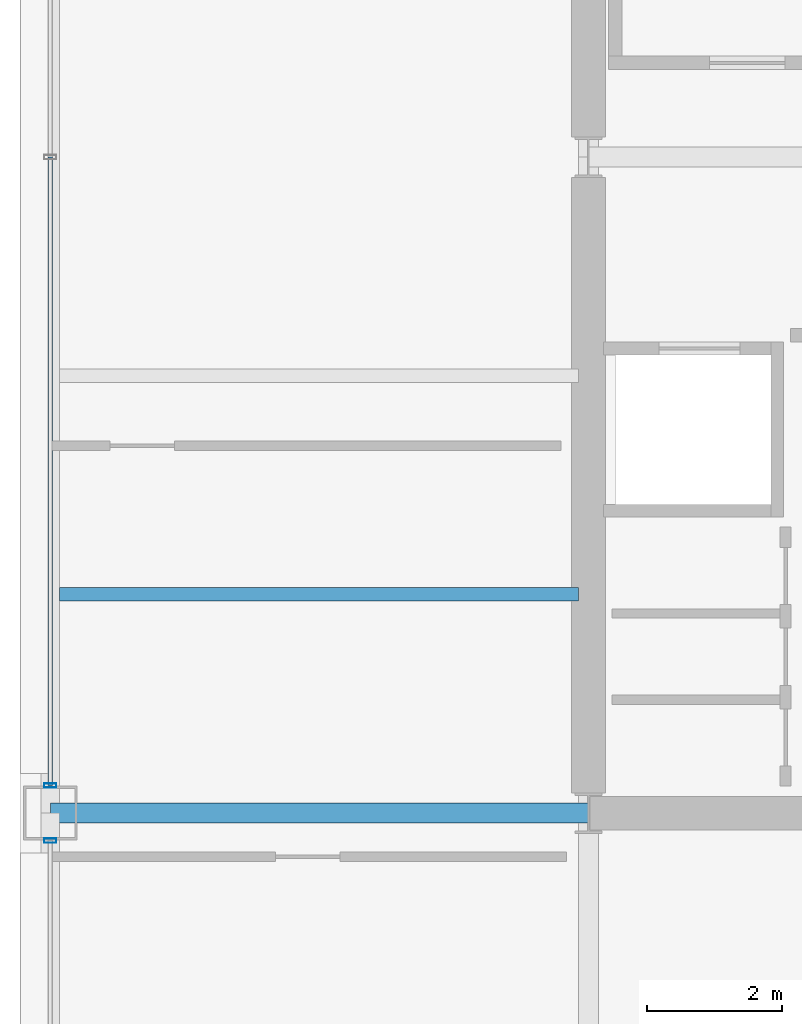
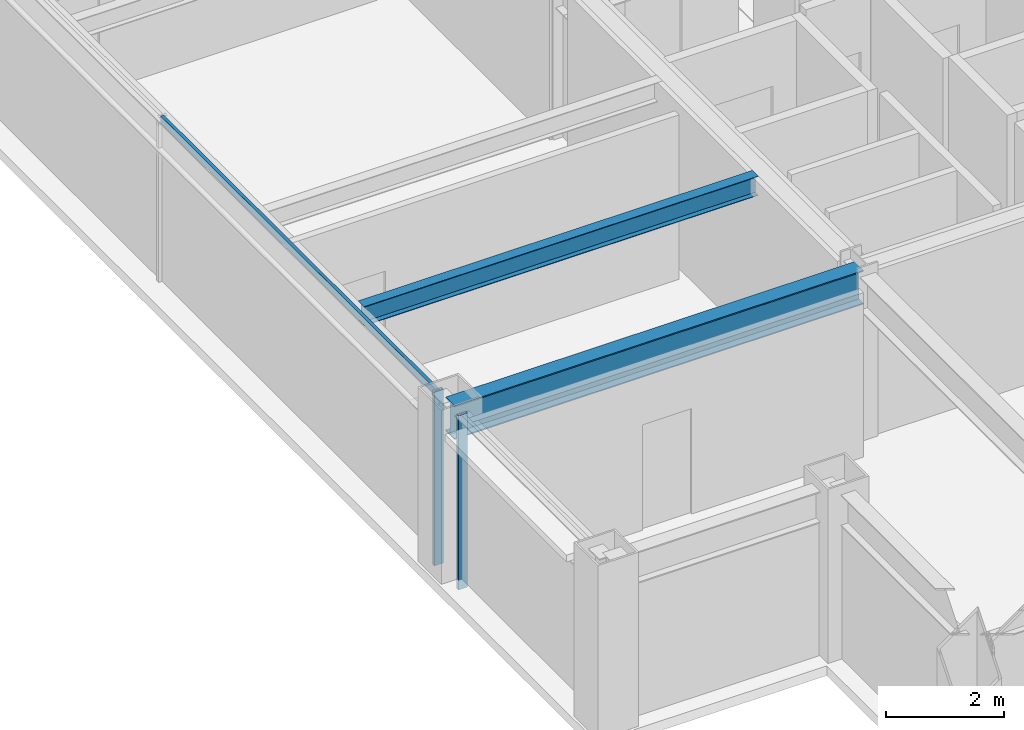
# One storey, part 4 of 29: 3 members, 2 beams, 2 elements without a shape of their own.
"""IFC4 building model written with IfcOpenShell, lengths in metres."""

from ifc_helpers import new_model, si_unit, direction, frame, origin, origin_2d, place, context, subcontext, project, spatial, hollow_rectangle, i_section, extrude, material, layer, layer_set, material_profile, profile_set, type_object, element, aggregate, save


model = new_model("IFC4")

# Units and contexts
model_context = context("Model", 3, precision=1e-05, world=origin(), true_north=direction((0.0, 1.0)))
body_context = subcontext(model_context, "Body", "Model", "MODEL_VIEW")
ifc_project = project(units=[si_unit("LENGTHUNIT", "METRE"), si_unit("AREAUNIT", "SQUARE_METRE"), si_unit("VOLUMEUNIT", "CUBIC_METRE"), si_unit("PLANEANGLEUNIT", "RADIAN"), si_unit("MASSUNIT", "GRAM", prefix="KILO")], contexts=[model_context])

# Site, building, storey
site_placement = place(None, origin())
site = spatial("IfcSite", under=ifc_project, at=site_placement, CompositionType="ELEMENT")
building_placement = place(site_placement, origin())
building = spatial("IfcBuilding", under=site, at=building_placement, Name="Brelmoor Portico Tower", CompositionType="ELEMENT")
storey_placement = place(building_placement, frame((0.0, 0.0, 135.0)))
storey = spatial("IfcBuildingStorey", under=building, at=storey_placement, Name="L35", CompositionType="ELEMENT", Elevation=135.0)

# Beams
ifc_material_1 = material(Name="Steel Q355B", Category="steel")
ifc_material_profile_1 = material_profile(ifc_material_1, i_section(OverallWidth=0.199951171875, OverallDepth=0.39990234375, WebThickness=0.008056640625, FlangeThickness=0.012939453125, at=origin_2d()), Name="HN 400x200x8x13")
ifc_profile_set_1 = profile_set([ifc_material_profile_1], Name="Steel Q355B")
beam_type_1 = type_object("IfcBeamType", Name="BM-JS-400", PredefinedType="JOIST", material=ifc_profile_set_1)
beam_1_placement = place(storey_placement, frame((-22.409912109375, -6.5, 3.199951171875), z_axis=(1.0, 0.0, 0.0), x_axis=(0.0, 1.0, 0.0)))
element("IfcBeam", 1, at=beam_1_placement, inside=storey, type_object=beam_type_1, Name="L35 Secondary Wing Joist JS-W05", PredefinedType="JOIST", context=body_context, shape_type="SweptSolid", body=[
    extrude(i_section(OverallWidth=0.199951171875, OverallDepth=0.39990234375, WebThickness=0.008056640625, FlangeThickness=0.012939453125, at=origin_2d()), origin(), (0.0, 0.0, 1.0), 7.7099609375),
])
ifc_material_profile_2 = material_profile(ifc_material_1, i_section(OverallWidth=0.300048828125, OverallDepth=0.699951171875, WebThickness=0.012939453125, FlangeThickness=0.02392578125, at=origin_2d()), Name="HN 700x300x13x24")
ifc_profile_set_2 = profile_set([ifc_material_profile_2], Name="Steel Q355B")
beam_type_2 = type_object("IfcBeamType", Name="BM-PG-700", PredefinedType="BEAM", material=ifc_profile_set_2)
beam_2_placement = place(storey_placement, frame((-22.550048828125, -9.75, 3.050048828125), z_axis=(1.0, 0.0, 0.0), x_axis=(0.0, 1.0, 0.0)))
element("IfcBeam", 2, at=beam_2_placement, inside=storey, type_object=beam_type_2, Name="L35 Primary Floor Girder PG-14", PredefinedType="BEAM", context=body_context, shape_type="SweptSolid", body=[
    extrude(i_section(OverallWidth=0.300048828125, OverallDepth=0.699951171875, WebThickness=0.012939453125, FlangeThickness=0.02392578125, at=origin_2d()), origin(), (0.0, 0.0, 1.0), 8.0),
])

# Curtain wall, member
ifc_material_2 = material(Name="Anodised Aluminium Alloy 6063-T6", Category="aluminium")
ifc_layer = layer(ifc_material_2, 0.179931640625)
ifc_layer_set = layer_set([ifc_layer], Name="Anodised Aluminium Alloy 6063-T6")
curtain_wall_type = type_object("IfcCurtainWallType", Name="CW-TOWER-Z2-XB", PredefinedType="NOTDEFINED", material=ifc_layer_set)
curtain_wall_1_placement = place(storey_placement, origin())
curtain_wall_1 = element("IfcCurtainWall", 3, at=curtain_wall_1_placement, inside=storey, type_object=curtain_wall_type, Name="L35 Curtain Wall CW-L35-03-1", PredefinedType="NOTDEFINED")
ifc_material_profile_3 = material_profile(ifc_material_2, hollow_rectangle(XDim=0.06494140625, YDim=0.179931640625, WallThickness=0.00390625, at=origin_2d()), Name="ALU MULLION 65x180")
ifc_profile_set_3 = profile_set([ifc_material_profile_3], Name="Anodised Aluminium Alloy 6063-T6")
member_type_1 = type_object("IfcMemberType", Name="MB-CW-MULL-180", PredefinedType="MULLION", material=ifc_profile_set_3)
member_1_placement = place(storey_placement, frame((-22.550048828125, -10.159912109375, -0.199951171875), z_axis=(0.0, 0.0, 1.0), x_axis=(0.0, 1.0, 0.0)))
member_1 = element("IfcMember", 4, at=member_1_placement, type_object=member_type_1, Name="CW-L35-03-1 Mullion 01", PredefinedType="MULLION", context=body_context, shape_type="SweptSolid", body=[
    extrude(hollow_rectangle(XDim=0.06494140625, YDim=0.179931640625, WallThickness=0.00390625, at=origin_2d()), origin(), (0.0, 0.0, 1.0), 3.599853515625),
])
aggregate(curtain_wall_1, [member_1])

# Curtain wall, members
curtain_wall_2_placement = place(storey_placement, origin())
curtain_wall_2 = element("IfcCurtainWall", 5, at=curtain_wall_2_placement, inside=storey, type_object=curtain_wall_type, Name="L35 Curtain Wall CW-L35-03-2", PredefinedType="NOTDEFINED")
member_2_placement = place(storey_placement, frame((-22.550048828125, -9.340087890625, -0.199951171875), z_axis=(0.0, 0.0, 1.0), x_axis=(0.0, 1.0, 0.0)))
member_2 = element("IfcMember", 6, at=member_2_placement, type_object=member_type_1, Name="CW-L35-03-2 Mullion 00", PredefinedType="MULLION", context=body_context, shape_type="SweptSolid", body=[
    extrude(hollow_rectangle(XDim=0.06494140625, YDim=0.179931640625, WallThickness=0.00390625, at=origin_2d()), origin(), (0.0, 0.0, 1.0), 3.599853515625),
])
ifc_material_profile_4 = material_profile(ifc_material_2, hollow_rectangle(XDim=0.06494140625, YDim=0.139892578125, WallThickness=0.00390625, at=origin_2d()), Name="ALU TRANSOM 65x140")
ifc_profile_set_4 = profile_set([ifc_material_profile_4], Name="Anodised Aluminium Alloy 6063-T6")
member_type_2 = type_object("IfcMemberType", Name="MB-CW-TRAN-140", PredefinedType="USERDEFINED", material=ifc_profile_set_4)
member_3_placement = place(storey_placement, frame((-22.550048828125, -9.340087890625, 3.330078125), z_axis=(0.0, 1.0, 0.0), x_axis=(-1.0, 0.0, 0.0)))
member_3 = element("IfcMember", 7, at=member_3_placement, type_object=member_type_2, Name="CW-L35-03-2 Transom 1-00", ObjectType="TRANSOM", PredefinedType="USERDEFINED", context=body_context, shape_type="SweptSolid", body=[
    extrude(hollow_rectangle(XDim=0.06494140625, YDim=0.139892578125, WallThickness=0.00390625, at=origin_2d()), origin(), (0.0, 0.0, 1.0), 9.340087890625),
])
aggregate(curtain_wall_2, [member_2, member_3])

save(model, "model.ifc")
